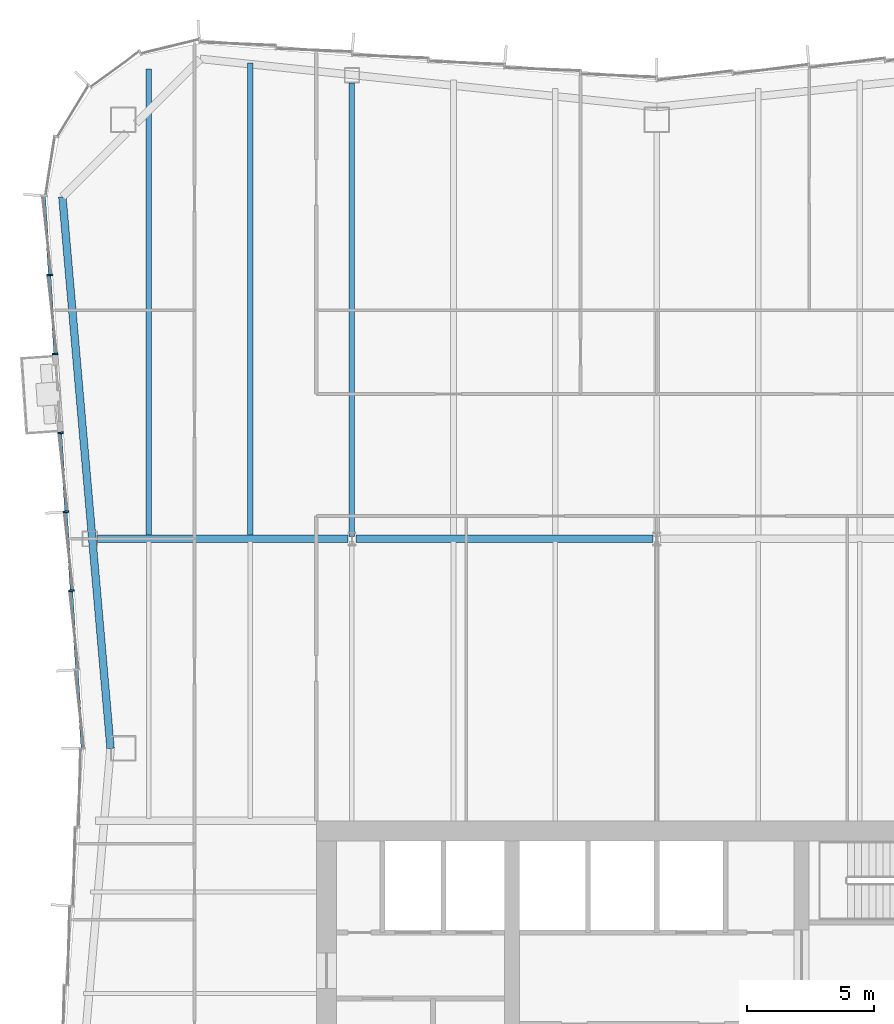
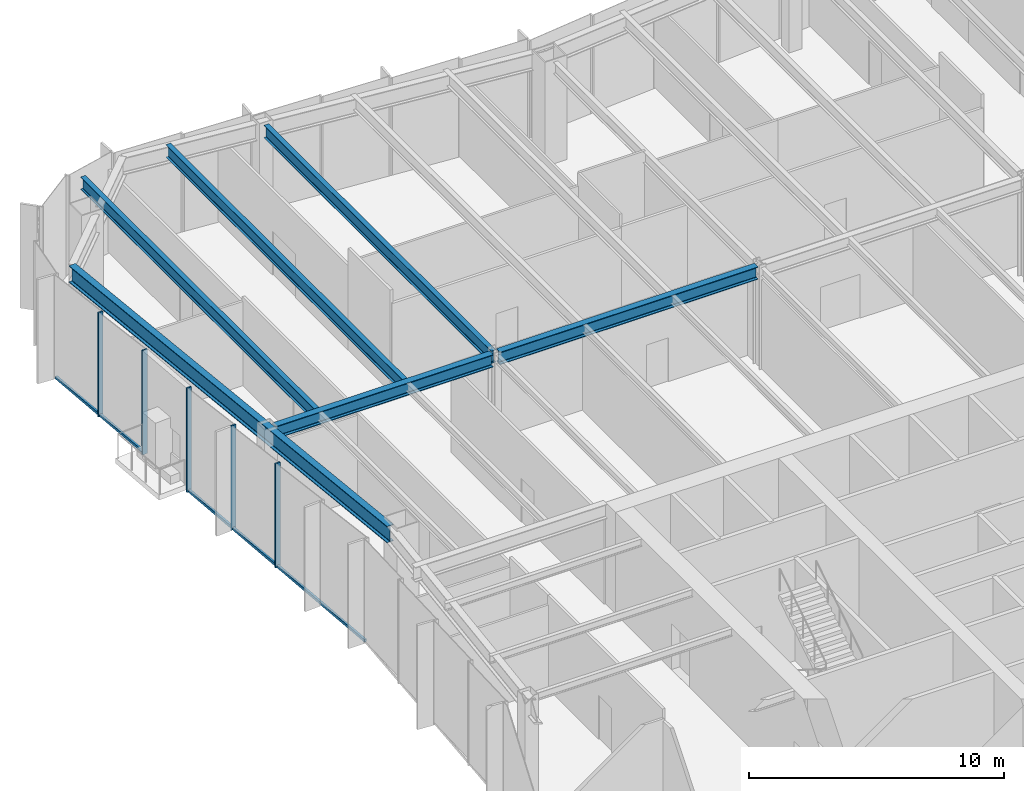
# One storey, part 6 of 15: 7 members, 6 beams, 1 element without a shape of its own.
"""IFC4 building model written with IfcOpenShell, lengths in metres."""

from ifc_helpers import new_model, si_unit, direction, frame, origin, origin_2d, place, context, subcontext, project, spatial, rectangle, i_section, extrude, material, material_profile, profile_set, type_object, element, aggregate, save


model = new_model("IFC4")

# Units and contexts
model_context = context("Model", 3, precision=1e-05, world=origin(), true_north=direction((0.0, 1.0)))
body_context = subcontext(model_context, "Body", "Model", "MODEL_VIEW")
ifc_project = project(units=[si_unit("LENGTHUNIT", "METRE"), si_unit("AREAUNIT", "SQUARE_METRE"), si_unit("VOLUMEUNIT", "CUBIC_METRE"), si_unit("PLANEANGLEUNIT", "RADIAN"), si_unit("MASSUNIT", "GRAM", prefix="KILO")], contexts=[model_context])

# Site, building, storey
site_placement = place(None, origin())
site = spatial("IfcSite", under=ifc_project, at=site_placement, CompositionType="ELEMENT")
building_placement = place(site_placement, origin())
building = spatial("IfcBuilding", under=site, at=building_placement, Name="Verdant Reach Tower", CompositionType="ELEMENT")
storey_placement = place(building_placement, frame((0.0, 0.0, 233.0)))
storey = spatial("IfcBuildingStorey", under=building, at=storey_placement, Name="L53", CompositionType="ELEMENT", Elevation=233.0)

# Curtain wall, members
ifc_material_1 = material(Name="Anodised aluminium", Category="aluminium")
curtain_wall_type = type_object("IfcCurtainWallType", Name="EN-CW SYSTEM Z4", PredefinedType="NOTDEFINED", material=ifc_material_1)
curtain_wall_placement = place(storey_placement, origin())
curtain_wall = element("IfcCurtainWall", 1, at=curtain_wall_placement, inside=storey, type_object=curtain_wall_type, Name="Curtain wall west, L53", PredefinedType="NOTDEFINED")
ifc_material_profile_1 = material_profile(ifc_material_1, rectangle(XDim=0.22412109375, YDim=0.068115234375, at=origin_2d()), Name="Mullion 68x224")
ifc_profile_set_1 = profile_set([ifc_material_profile_1], Name="Anodised aluminium")
member_type_1 = type_object("IfcMemberType", Name="EN-MULLION Z4", PredefinedType="MULLION", material=ifc_profile_set_1)
member_1_placement = place(storey_placement, frame((-23.8974609375, 59.88525390625, -0.35009765625), z_axis=(0.0, 0.0, 1.0), x_axis=(-0.997630328423, -0.068802091615, 0.0)))
member_1 = element("IfcMember", 2, at=member_1_placement, type_object=member_type_1, Name="Mullion west face part 1 2, L53", PredefinedType="MULLION", context=body_context, shape_type="SweptSolid", body=[
    extrude(rectangle(XDim=0.22412109375, YDim=0.068115234375, at=origin_2d()), origin(), (0.0, 0.0, 1.0), 5.0),
])
member_2_placement = place(storey_placement, frame((-23.68310546875, 56.778076171875, -0.35009765625), z_axis=(0.0, 0.0, 1.0), x_axis=(-0.997630328423, -0.068802091615, 0.0)))
member_2 = element("IfcMember", 3, at=member_2_placement, type_object=member_type_1, Name="Mullion west face part 1 3, L53", PredefinedType="MULLION", context=body_context, shape_type="SweptSolid", body=[
    extrude(rectangle(XDim=0.22412109375, YDim=0.068115234375, at=origin_2d()), origin(), (0.0, 0.0, 1.0), 5.0),
])
member_3_placement = place(storey_placement, frame((-23.468994140625, 53.6708984375, -0.35009765625), z_axis=(0.0, 0.0, 1.0), x_axis=(-0.997630328423, -0.068802091615, 0.0)))
member_3 = element("IfcMember", 4, at=member_3_placement, type_object=member_type_1, Name="Mullion west face part 1 4, L53", PredefinedType="MULLION", context=body_context, shape_type="SweptSolid", body=[
    extrude(rectangle(XDim=0.22412109375, YDim=0.068115234375, at=origin_2d()), origin(), (0.0, 0.0, 1.0), 5.0),
])
member_4_placement = place(storey_placement, frame((-23.254638671875, 50.563720703125, -0.35009765625), z_axis=(0.0, 0.0, 1.0), x_axis=(-0.997630328423, -0.068802091615, 0.0)))
member_4 = element("IfcMember", 5, at=member_4_placement, type_object=member_type_1, Name="Mullion west face part 1 5, L53", PredefinedType="MULLION", context=body_context, shape_type="SweptSolid", body=[
    extrude(rectangle(XDim=0.22412109375, YDim=0.068115234375, at=origin_2d()), origin(), (0.0, 0.0, 1.0), 5.0),
])
member_5_placement = place(storey_placement, frame((-23.040283203125, 47.45654296875, -0.35009765625), z_axis=(0.0, 0.0, 1.0), x_axis=(-0.997630328423, -0.068802091615, 0.0)))
member_5 = element("IfcMember", 6, at=member_5_placement, type_object=member_type_1, Name="Mullion west face part 1 6, L53", PredefinedType="MULLION", context=body_context, shape_type="SweptSolid", body=[
    extrude(rectangle(XDim=0.22412109375, YDim=0.068115234375, at=origin_2d()), origin(), (0.0, 0.0, 1.0), 5.0),
])
ifc_material_profile_2 = material_profile(ifc_material_1, rectangle(XDim=0.10009765625, YDim=0.1279296875, at=origin_2d()), Name="Transom 128x100")
ifc_profile_set_2 = profile_set([ifc_material_profile_2], Name="Anodised aluminium")
member_type_2 = type_object("IfcMemberType", Name="EN-TRANSOM Z4", PredefinedType="USERDEFINED", material=ifc_profile_set_2)
member_6_placement = place(storey_placement, frame((-24.109375, 62.97314453125, -0.285888671875), z_axis=(0.068628428256, -0.997642290019, 0.0), x_axis=(0.997642290019, 0.068628428256, 0.0)))
member_6 = element("IfcMember", 7, at=member_6_placement, type_object=member_type_2, Name="Transom west face part 1 1.1, L53", ObjectType="TRANSOM", PredefinedType="USERDEFINED", context=body_context, shape_type="SweptSolid", body=[
    extrude(rectangle(XDim=0.10009765625, YDim=0.1279296875, at=origin_2d()), origin(), (0.0, 0.0, 1.0), 6.17578125),
])
member_7_placement = place(storey_placement, frame((-23.466552734375, 53.636962890625, -0.285888671875), z_axis=(0.068831188382, -0.997628321323, 0.0), x_axis=(0.997628321323, 0.068831188382, 0.0)))
member_7 = element("IfcMember", 8, at=member_7_placement, type_object=member_type_2, Name="Transom west face part 1 2.1, L53", ObjectType="TRANSOM", PredefinedType="USERDEFINED", context=body_context, shape_type="SweptSolid", body=[
    extrude(rectangle(XDim=0.10009765625, YDim=0.1279296875, at=origin_2d()), origin(), (0.0, 0.0, 1.0), 12.38232421875),
])
aggregate(curtain_wall, [member_1, member_2, member_3, member_4, member_5, member_6, member_7])

# Beams
ifc_material_2 = material(Name="Steel S355", Category="steel")
ifc_material_profile_3 = material_profile(ifc_material_2, i_section(OverallWidth=0.300048828125, OverallDepth=0.60009765625, WebThickness=0.015380859375, FlangeThickness=0.030029296875, FilletRadius=0.027099609375, at=origin_2d()), Name="HEB 600")
ifc_profile_set_3 = profile_set([ifc_material_profile_3], Name="Steel S355")
beam_type_1 = type_object("IfcBeamType", Name="ST-BEAM-HEB600", PredefinedType="BEAM", material=ifc_profile_set_3)
beam_1_placement = place(storey_placement, frame((-22.01904296875, 49.5, 4.570068359375), z_axis=(1.0, 0.0, 0.0), x_axis=(0.0, 1.0, 0.0)))
element("IfcBeam", 9, at=beam_1_placement, inside=storey, type_object=beam_type_1, Name="Row girder, L53", PredefinedType="BEAM", context=body_context, shape_type="SweptSolid", body=[
    extrude(i_section(OverallWidth=0.300048828125, OverallDepth=0.60009765625, WebThickness=0.015380859375, FlangeThickness=0.030029296875, FilletRadius=0.027099609375, at=origin_2d()), origin(), (0.0, 0.0, 1.0), 9.865966796875),
])
beam_2_placement = place(storey_placement, frame((-11.846923828125, 49.5, 4.570068359375), z_axis=(1.0, 0.0, 0.0), x_axis=(0.0, 1.0, 0.0)))
element("IfcBeam", 10, at=beam_2_placement, inside=storey, type_object=beam_type_1, Name="Row girder, L53", PredefinedType="BEAM", context=body_context, shape_type="SweptSolid", body=[
    extrude(i_section(OverallWidth=0.300048828125, OverallDepth=0.60009765625, WebThickness=0.015380859375, FlangeThickness=0.030029296875, FilletRadius=0.027099609375, at=origin_2d()), origin(), (0.0, 0.0, 1.0), 11.69384765625),
])
ifc_material_profile_4 = material_profile(ifc_material_2, i_section(OverallWidth=0.219970703125, OverallDepth=0.60009765625, WebThickness=0.011962890625, FlangeThickness=0.01904296875, FilletRadius=0.02392578125, at=origin_2d()), Name="IPE 600")
ifc_profile_set_4 = profile_set([ifc_material_profile_4], Name="Steel S355")
beam_type_2 = type_object("IfcBeamType", Name="ST-JOIST-IPE600", PredefinedType="JOIST", material=ifc_profile_set_4)
beam_3_placement = place(storey_placement, frame((-20.0, 49.60009765625, 4.570068359375), z_axis=(0.0, 1.0, 0.0), x_axis=(-1.0, 0.0, 0.0)))
element("IfcBeam", 11, at=beam_3_placement, inside=storey, type_object=beam_type_2, Name="Floor joist, L53", PredefinedType="JOIST", context=body_context, shape_type="SweptSolid", body=[
    extrude(i_section(OverallWidth=0.219970703125, OverallDepth=0.60009765625, WebThickness=0.011962890625, FlangeThickness=0.01904296875, FilletRadius=0.02392578125, at=origin_2d()), origin(), (0.0, 0.0, 1.0), 18.390380859375),
])
beam_4_placement = place(storey_placement, frame((-16.0, 49.60009765625, 4.570068359375), z_axis=(0.0, 1.0, 0.0), x_axis=(-1.0, 0.0, 0.0)))
element("IfcBeam", 12, at=beam_4_placement, inside=storey, type_object=beam_type_2, Name="Floor joist, L53", PredefinedType="JOIST", context=body_context, shape_type="SweptSolid", body=[
    extrude(i_section(OverallWidth=0.219970703125, OverallDepth=0.60009765625, WebThickness=0.011962890625, FlangeThickness=0.01904296875, FilletRadius=0.02392578125, at=origin_2d()), origin(), (0.0, 0.0, 1.0), 18.631103515625),
])
beam_5_placement = place(storey_placement, frame((-12.0, 49.60009765625, 4.570068359375), z_axis=(0.0, 1.0, 0.0), x_axis=(-1.0, 0.0, 0.0)))
element("IfcBeam", 13, at=beam_5_placement, inside=storey, type_object=beam_type_2, Name="Floor joist, L53", PredefinedType="JOIST", context=body_context, shape_type="SweptSolid", body=[
    extrude(i_section(OverallWidth=0.219970703125, OverallDepth=0.60009765625, WebThickness=0.011962890625, FlangeThickness=0.01904296875, FilletRadius=0.02392578125, at=origin_2d()), origin(), (0.0, 0.0, 1.0), 17.849853515625),
])
ifc_material_profile_5 = material_profile(ifc_material_2, i_section(OverallWidth=0.300048828125, OverallDepth=0.800048828125, WebThickness=0.017578125, FlangeThickness=0.032958984375, FilletRadius=0.030029296875, at=origin_2d()), Name="HEB 800")
ifc_profile_set_5 = profile_set([ifc_material_profile_5], Name="Steel S355")
beam_type_3 = type_object("IfcBeamType", Name="ST-SPANDREL-HEB800", PredefinedType="SPANDREL", material=ifc_profile_set_5)
beam_6_placement = place(storey_placement, frame((-21.5, 41.25, 4.469970703125), z_axis=(-0.086996024331, 0.996208658741, 0.0), x_axis=(-0.996208658741, -0.086996024331, 0.0)))
element("IfcBeam", 14, at=beam_6_placement, inside=storey, type_object=beam_type_3, Name="Edge beam, L53", PredefinedType="SPANDREL", context=body_context, shape_type="SweptSolid", body=[
    extrude(i_section(OverallWidth=0.300048828125, OverallDepth=0.800048828125, WebThickness=0.017578125, FlangeThickness=0.032958984375, FilletRadius=0.030029296875, at=origin_2d()), origin(), (0.0, 0.0, 1.0), 21.7939453125),
])

save(model, "model.ifc")
